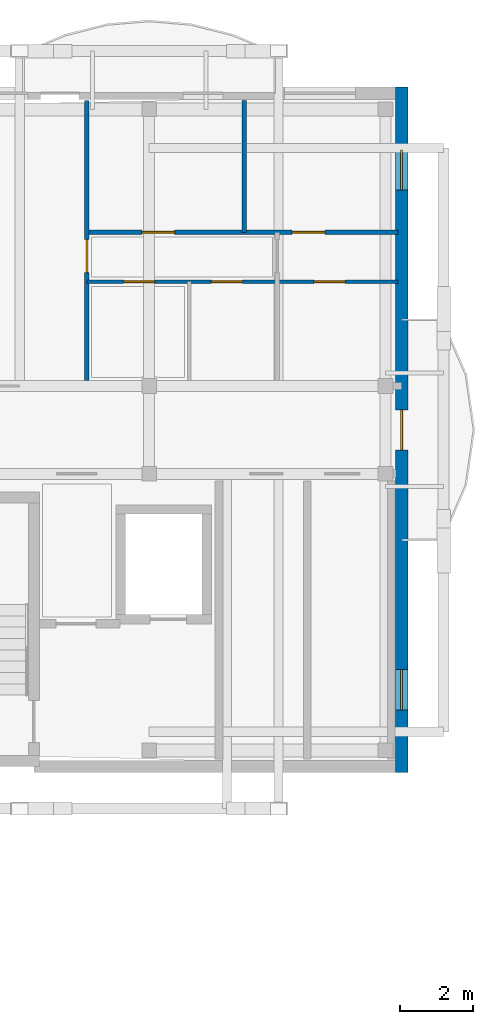
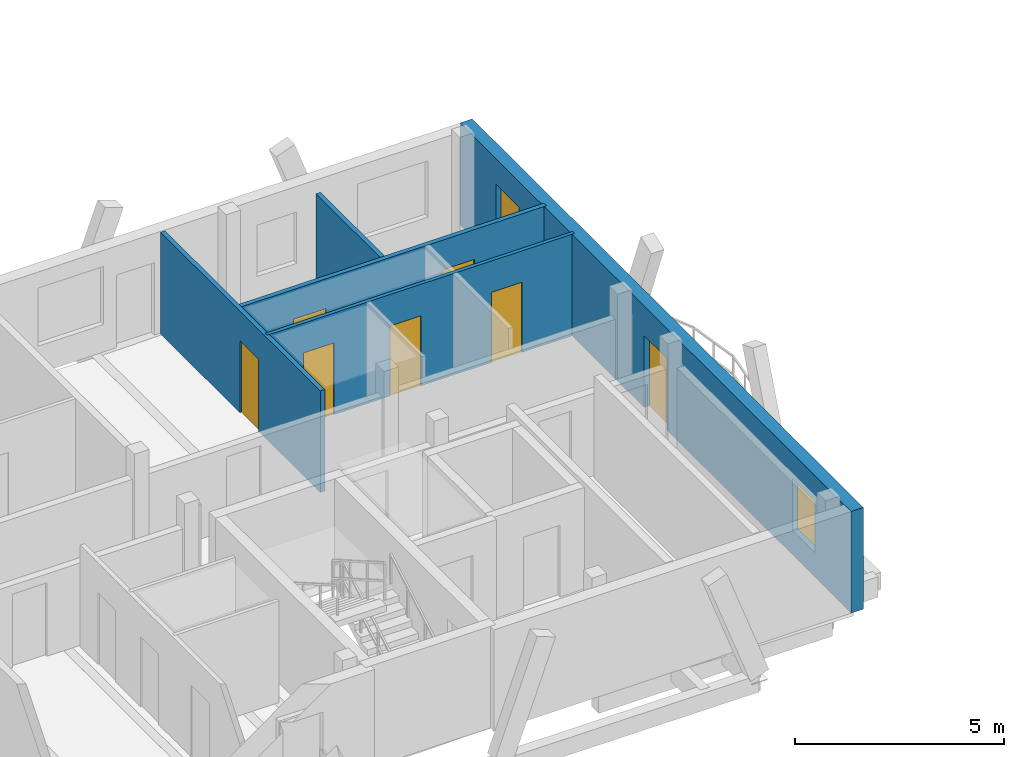
# One storey, part 16 of 21: 7 doors, 5 walls, 2 windows, 9 openings.
"""IFC4 building model written with IfcOpenShell, lengths in metres."""

from ifc_helpers import new_model, si_unit, direction, frame, frame_2d, origin, origin_with_axes, place, context, subcontext, project, spatial, rectangle, extrude, material, layer, layer_set, type_object, element, fill, save


model = new_model("IFC4")

# Units and contexts
model_context = context("Model", 3, precision=1e-05, world=origin(), true_north=direction((0.0, 1.0)))
body_context = subcontext(model_context, "Body", "Model", "MODEL_VIEW")
ifc_project = project(units=[si_unit("LENGTHUNIT", "METRE"), si_unit("AREAUNIT", "SQUARE_METRE"), si_unit("VOLUMEUNIT", "CUBIC_METRE"), si_unit("PLANEANGLEUNIT", "RADIAN"), si_unit("MASSUNIT", "GRAM", prefix="KILO")], contexts=[model_context])

# Site, building, storey
site_placement = place(None, origin())
site = spatial("IfcSite", under=ifc_project, at=site_placement, CompositionType="ELEMENT")
building_placement = place(site_placement, origin())
building = spatial("IfcBuilding", under=site, at=building_placement, Name="Zavelmont Quarter", CompositionType="ELEMENT")
storey_placement = place(building_placement, frame((0.0, 0.0, 36.800048828125)))
storey = spatial("IfcBuildingStorey", under=building, at=storey_placement, Name="L11", CompositionType="ELEMENT", Elevation=36.800048828125)

# Wall, openings, door, windows
ifc_material_1 = material(Name="Natural Belgian limestone", Category="masonry")
ifc_layer_1 = layer(ifc_material_1, 0.340087890625)
ifc_layer_set_1 = layer_set([ifc_layer_1], Name="Natural Belgian limestone")
wall_type_1 = type_object("IfcWallType", Name="EW03", PredefinedType="STANDARD", material=ifc_layer_set_1)
wall_1_placement = place(storey_placement, frame((41.39990234375, 97.429931640625, 0.0), z_axis=(0.0, 0.0, 1.0), x_axis=(0.0, 1.0, 0.0)))
wall_1 = element("IfcWall", 1, at=wall_1_placement, inside=storey, type_object=wall_type_1, Name="L11 exterior limestone wall EW03", PredefinedType="STANDARD", context=body_context, shape_type="SweptSolid", body=[
    extrude(rectangle(XDim=18.739990234375, YDim=0.340087890625, at=frame_2d((9.3701171875, 0.0))), origin(), (0.0, 0.0, 1.0), 2.969970703125),
])
opening_1_placement = place(wall_1_placement, frame((8.820068359375, 0.0, 0.0)))
opening_1 = element("IfcOpeningElement", 2, at=opening_1_placement, cuts=wall_1, Name="Opening DR04B", PredefinedType="OPENING", context=body_context, shape_type="SweptSolid", body=[
    extrude(rectangle(XDim=1.10009765625, YDim=2.10009765625, at=frame_2d((0.550048828125, 1.050048828125))), frame((0.0, 0.18212890625, 0.0), z_axis=(0.0, -1.0, 0.0), x_axis=(1.0, 0.0, 0.0)), (0.0, 0.0, 1.0), 0.364013671875),
])
opening_2_placement = place(wall_1_placement, frame((1.719970703125, 0.0, 0.719970703125)))
opening_2 = element("IfcOpeningElement", 3, at=opening_2_placement, cuts=wall_1, Name="Opening WN09", PredefinedType="OPENING", context=body_context, shape_type="SweptSolid", body=[
    extrude(rectangle(XDim=1.10009765625, YDim=1.5, at=frame_2d((0.550048828125, 0.75))), frame((0.0, 0.18212890625, 0.0), z_axis=(0.0, -1.0, 0.0), x_axis=(1.0, 0.0, 0.0)), (0.0, 0.0, 1.0), 0.364013671875),
])
opening_3_placement = place(wall_1_placement, frame((15.919921875, 0.0, 0.719970703125)))
opening_3 = element("IfcOpeningElement", 4, at=opening_3_placement, cuts=wall_1, Name="Opening WN09", PredefinedType="OPENING", context=body_context, shape_type="SweptSolid", body=[
    extrude(rectangle(XDim=1.10009765625, YDim=1.5, at=frame_2d((0.550048828125, 0.75))), frame((0.0, 0.18212890625, 0.0), z_axis=(0.0, -1.0, 0.0), x_axis=(1.0, 0.0, 0.0)), (0.0, 0.0, 1.0), 0.364013671875),
])
ifc_material_2 = material(Name="Thermally broken aluminium and double safety glass", Category="aluminium")
door_type_1 = type_object("IfcDoorType", Name="DR04B", OperationType="NOTDEFINED", PredefinedType="DOOR", material=ifc_material_2)
door_1_placement = place(opening_1_placement, origin_with_axes())
door_1 = element("IfcDoor", 5, at=door_1_placement, inside=storey, type_object=door_type_1, Name="Block B L11 terrace or vase balcony door", OperationType="SINGLE_SWING_LEFT", OverallHeight=2.10009765625, OverallWidth=1.10009765625, PredefinedType="DOOR", context=body_context, shape_type="SweptSolid", body=[
    extrude(rectangle(XDim=1.10009765625, YDim=2.10009765625, at=frame_2d((0.550048828125, 1.050048828125))), frame((0.0, 0.02490234375, 0.0), z_axis=(0.0, -1.0, 0.0), x_axis=(1.0, 0.0, 0.0)), (0.0, 0.0, 1.0), 0.050048828125),
])
fill(opening_1, door_1)
ifc_material_3 = material(Name="Double low-E insulated glazing in thermally broken aluminium frame", Category="aluminium")
window_type = type_object("IfcWindowType", Name="WN09", PartitioningType="SINGLE_PANEL", PredefinedType="WINDOW", material=ifc_material_3)
window_1_placement = place(opening_2_placement, origin_with_axes())
window_1 = element("IfcWindow", 6, at=window_1_placement, inside=storey, type_object=window_type, Name="L11 window WN09", OverallHeight=1.5, OverallWidth=1.10009765625, PartitioningType="SINGLE_PANEL", PredefinedType="WINDOW", context=body_context, shape_type="SweptSolid", body=[
    extrude(rectangle(XDim=1.10009765625, YDim=1.5, at=frame_2d((0.550048828125, 0.75))), frame((0.0, 0.030029296875, 0.0), z_axis=(0.0, -1.0, 0.0), x_axis=(1.0, 0.0, 0.0)), (0.0, 0.0, 1.0), 0.06005859375),
])
fill(opening_2, window_1)
window_2_placement = place(opening_3_placement, origin_with_axes())
window_2 = element("IfcWindow", 7, at=window_2_placement, inside=storey, type_object=window_type, Name="L11 window WN09", OverallHeight=1.5, OverallWidth=1.10009765625, PartitioningType="SINGLE_PANEL", PredefinedType="WINDOW", context=body_context, shape_type="SweptSolid", body=[
    extrude(rectangle(XDim=1.10009765625, YDim=1.5, at=frame_2d((0.550048828125, 0.75))), frame((0.0, 0.030029296875, 0.0), z_axis=(0.0, -1.0, 0.0), x_axis=(1.0, 0.0, 0.0)), (0.0, 0.0, 1.0), 0.06005859375),
])
fill(opening_3, window_2)

# Wall, opening, door
ifc_material_4 = material(Name="Double gypsum board on acoustic steel stud", Category="steel")
ifc_layer_2 = layer(ifc_material_4, 0.125)
ifc_layer_set_2 = layer_set([ifc_layer_2], Name="Double gypsum board on acoustic steel stud")
wall_type_2 = type_object("IfcWallType", Name="IW03", PredefinedType="PARTITIONING", material=ifc_layer_set_2)
wall_2_placement = place(storey_placement, frame((32.800048828125, 108.14990234375, 0.0), z_axis=(0.0, 0.0, 1.0), x_axis=(0.0, 1.0, 0.0)))
wall_2 = element("IfcWall", 8, at=wall_2_placement, inside=storey, type_object=wall_type_2, Name="L11 Partition IW03", PredefinedType="PARTITIONING", context=body_context, shape_type="SweptSolid", body=[
    extrude(rectangle(XDim=7.650146484375, YDim=0.125, at=frame_2d((3.8251953125, 0.0))), origin(), (0.0, 0.0, 1.0), 2.969970703125),
])
opening_4_placement = place(wall_2_placement, frame((2.949951171875, 0.0, 0.0)))
opening_4 = element("IfcOpeningElement", 9, at=opening_4_placement, cuts=wall_2, Name="Opening DR05", PredefinedType="OPENING", context=body_context, shape_type="SweptSolid", body=[
    extrude(rectangle(XDim=0.89990234375, YDim=2.10009765625, at=frame_2d((0.449951171875, 1.050048828125))), frame((0.0, 0.074462890625, 0.0), z_axis=(0.0, -1.0, 0.0), x_axis=(1.0, 0.0, 0.0)), (0.0, 0.0, 1.0), 0.14892578125),
])
ifc_material_5 = material(Name="Engineered oak flush interior door")
door_type_2 = type_object("IfcDoorType", Name="DR05", OperationType="NOTDEFINED", PredefinedType="DOOR", material=ifc_material_5)
door_2_placement = place(opening_4_placement, frame((0.89990234375, 0.0, 0.0), z_axis=(0.0, 0.0, 1.0), x_axis=(-1.0, 0.0, 0.0)))
door_2 = element("IfcDoor", 10, at=door_2_placement, inside=storey, type_object=door_type_2, Name="L11 door DR05", OperationType="SINGLE_SWING_LEFT", OverallHeight=2.10009765625, OverallWidth=0.89990234375, PredefinedType="DOOR", context=body_context, shape_type="SweptSolid", body=[
    extrude(rectangle(XDim=0.89990234375, YDim=2.10009765625, at=frame_2d((0.449951171875, 1.050048828125))), frame((0.0, 0.02490234375, 0.0), z_axis=(0.0, -1.0, 0.0), x_axis=(1.0, 0.0, 0.0)), (0.0, 0.0, 1.0), 0.050048828125),
])
fill(opening_4, door_2)

# Wall
wall_3_placement = place(storey_placement, frame((37.10009765625, 112.199951171875, 0.0), z_axis=(0.0, 0.0, 1.0), x_axis=(0.0, 1.0, 0.0)))
element("IfcWall", 11, at=wall_3_placement, inside=storey, type_object=wall_type_2, Name="L11 Partition IW03", PredefinedType="PARTITIONING", context=body_context, shape_type="SweptSolid", body=[
    extrude(rectangle(XDim=3.60009765625, YDim=0.125, at=frame_2d((1.800048828125, 0.0))), origin(), (0.0, 0.0, 1.0), 2.58984375),
])

# Wall, openings, doors
wall_4_placement = place(storey_placement, frame((32.800048828125, 112.199951171875, 0.0), z_axis=(0.0, 0.0, 1.0), x_axis=(1.0, 0.0, 0.0)))
wall_4 = element("IfcWall", 12, at=wall_4_placement, inside=storey, type_object=wall_type_2, Name="L11 Partition IW03", PredefinedType="PARTITIONING", context=body_context, shape_type="SweptSolid", body=[
    extrude(rectangle(XDim=8.5, YDim=0.125, at=frame_2d((4.25, 0.0))), origin(), (0.0, 0.0, 1.0), 2.969970703125),
])
opening_5_placement = place(wall_4_placement, frame((1.5, 0.0, 0.0)))
opening_5 = element("IfcOpeningElement", 13, at=opening_5_placement, cuts=wall_4, Name="Opening DR05", PredefinedType="OPENING", context=body_context, shape_type="SweptSolid", body=[
    extrude(rectangle(XDim=0.89990234375, YDim=2.10009765625, at=frame_2d((0.449951171875, 1.050048828125))), frame((0.0, 0.074462890625, 0.0), z_axis=(0.0, -1.0, 0.0), x_axis=(1.0, 0.0, 0.0)), (0.0, 0.0, 1.0), 0.14892578125),
])
opening_6_placement = place(wall_4_placement, frame((5.60009765625, 0.0, 0.0)))
opening_6 = element("IfcOpeningElement", 14, at=opening_6_placement, cuts=wall_4, Name="Opening DR05", PredefinedType="OPENING", context=body_context, shape_type="SweptSolid", body=[
    extrude(rectangle(XDim=0.89990234375, YDim=2.10009765625, at=frame_2d((0.449951171875, 1.050048828125))), frame((0.0, 0.074462890625, 0.0), z_axis=(0.0, -1.0, 0.0), x_axis=(1.0, 0.0, 0.0)), (0.0, 0.0, 1.0), 0.14892578125),
])
door_3_placement = place(opening_5_placement, origin_with_axes())
door_3 = element("IfcDoor", 15, at=door_3_placement, inside=storey, type_object=door_type_2, Name="L11 door DR05", OperationType="SINGLE_SWING_RIGHT", OverallHeight=2.10009765625, OverallWidth=0.89990234375, PredefinedType="DOOR", context=body_context, shape_type="SweptSolid", body=[
    extrude(rectangle(XDim=0.89990234375, YDim=2.10009765625, at=frame_2d((0.449951171875, 1.050048828125))), frame((0.0, 0.02490234375, 0.0), z_axis=(0.0, -1.0, 0.0), x_axis=(1.0, 0.0, 0.0)), (0.0, 0.0, 1.0), 0.050048828125),
])
fill(opening_5, door_3)
door_4_placement = place(opening_6_placement, frame((0.89990234375, 0.0, 0.0), z_axis=(0.0, 0.0, 1.0), x_axis=(-1.0, 0.0, 0.0)))
door_4 = element("IfcDoor", 16, at=door_4_placement, inside=storey, type_object=door_type_2, Name="L11 door DR05", OperationType="SINGLE_SWING_LEFT", OverallHeight=2.10009765625, OverallWidth=0.89990234375, PredefinedType="DOOR", context=body_context, shape_type="SweptSolid", body=[
    extrude(rectangle(XDim=0.89990234375, YDim=2.10009765625, at=frame_2d((0.449951171875, 1.050048828125))), frame((0.0, 0.02490234375, 0.0), z_axis=(0.0, -1.0, 0.0), x_axis=(1.0, 0.0, 0.0)), (0.0, 0.0, 1.0), 0.050048828125),
])
fill(opening_6, door_4)

ifc_material_6 = material(Name="Moisture-resistant gypsum board on steel stud", Category="steel")
ifc_layer_3 = layer(ifc_material_6, 0.10009765625)
ifc_layer_set_3 = layer_set([ifc_layer_3], Name="Moisture-resistant gypsum board on steel stud")
wall_type_3 = type_object("IfcWallType", Name="IW04", PredefinedType="PARTITIONING", material=ifc_layer_set_3)
wall_5_placement = place(storey_placement, frame((32.800048828125, 110.85009765625, 0.0), z_axis=(0.0, 0.0, 1.0), x_axis=(1.0, 0.0, 0.0)))
wall_5 = element("IfcWall", 17, at=wall_5_placement, inside=storey, type_object=wall_type_3, Name="L11 Partition IW04", PredefinedType="PARTITIONING", context=body_context, shape_type="SweptSolid", body=[
    extrude(rectangle(XDim=8.5, YDim=0.10009765625, at=frame_2d((4.25, 0.0))), origin(), (0.0, 0.0, 1.0), 2.969970703125),
])
opening_7_placement = place(wall_5_placement, frame((1.0, 0.0, 0.0)))
opening_7 = element("IfcOpeningElement", 18, at=opening_7_placement, cuts=wall_5, Name="Opening DR16", PredefinedType="OPENING", context=body_context, shape_type="SweptSolid", body=[
    extrude(rectangle(XDim=0.85009765625, YDim=2.10009765625, at=frame_2d((0.425048828125, 1.050048828125))), frame((0.0, 0.06201171875, 0.0), z_axis=(0.0, -1.0, 0.0), x_axis=(1.0, 0.0, 0.0)), (0.0, 0.0, 1.0), 0.1240234375),
])
opening_8_placement = place(wall_5_placement, frame((3.39990234375, 0.0, 0.0)))
opening_8 = element("IfcOpeningElement", 19, at=opening_8_placement, cuts=wall_5, Name="Opening DR06", PredefinedType="OPENING", context=body_context, shape_type="SweptSolid", body=[
    extrude(rectangle(XDim=0.85009765625, YDim=2.050048828125, at=frame_2d((0.425048828125, 1.02490234375))), frame((0.0, 0.06201171875, 0.0), z_axis=(0.0, -1.0, 0.0), x_axis=(1.0, 0.0, 0.0)), (0.0, 0.0, 1.0), 0.1240234375),
])
opening_9_placement = place(wall_5_placement, frame((6.199951171875, 0.0, 0.0)))
opening_9 = element("IfcOpeningElement", 20, at=opening_9_placement, cuts=wall_5, Name="Opening DR06", PredefinedType="OPENING", context=body_context, shape_type="SweptSolid", body=[
    extrude(rectangle(XDim=0.85009765625, YDim=2.050048828125, at=frame_2d((0.425048828125, 1.02490234375))), frame((0.0, 0.06201171875, 0.0), z_axis=(0.0, -1.0, 0.0), x_axis=(1.0, 0.0, 0.0)), (0.0, 0.0, 1.0), 0.1240234375),
])
ifc_material_7 = material(Name="Moisture-resistant painted wet-room door")
door_type_3 = type_object("IfcDoorType", Name="DR06", OperationType="NOTDEFINED", PredefinedType="DOOR", material=ifc_material_7)
door_5_placement = place(opening_8_placement, origin_with_axes())
door_5 = element("IfcDoor", 21, at=door_5_placement, inside=storey, type_object=door_type_3, Name="L11 door DR06", OperationType="SINGLE_SWING_RIGHT", OverallHeight=2.050048828125, OverallWidth=0.85009765625, PredefinedType="DOOR", context=body_context, shape_type="SweptSolid", body=[
    extrude(rectangle(XDim=0.85009765625, YDim=2.050048828125, at=frame_2d((0.425048828125, 1.02490234375))), frame((0.0, 0.02490234375, 0.0), z_axis=(0.0, -1.0, 0.0), x_axis=(1.0, 0.0, 0.0)), (0.0, 0.0, 1.0), 0.050048828125),
])
fill(opening_8, door_5)
door_6_placement = place(opening_9_placement, frame((0.85009765625, 0.0, 0.0), z_axis=(0.0, 0.0, 1.0), x_axis=(-1.0, 0.0, 0.0)))
door_6 = element("IfcDoor", 22, at=door_6_placement, inside=storey, type_object=door_type_3, Name="L11 door DR06", OperationType="SINGLE_SWING_LEFT", OverallHeight=2.050048828125, OverallWidth=0.85009765625, PredefinedType="DOOR", context=body_context, shape_type="SweptSolid", body=[
    extrude(rectangle(XDim=0.85009765625, YDim=2.050048828125, at=frame_2d((0.425048828125, 1.02490234375))), frame((0.0, 0.02490234375, 0.0), z_axis=(0.0, -1.0, 0.0), x_axis=(1.0, 0.0, 0.0)), (0.0, 0.0, 1.0), 0.050048828125),
])
fill(opening_9, door_6)
door_type_4 = type_object("IfcDoorType", Name="DR16", OperationType="NOTDEFINED", PredefinedType="DOOR", material=ifc_material_5)
door_7_placement = place(opening_7_placement, frame((0.85009765625, 0.0, 0.0), z_axis=(0.0, 0.0, 1.0), x_axis=(-1.0, 0.0, 0.0)))
door_7 = element("IfcDoor", 23, at=door_7_placement, inside=storey, type_object=door_type_4, Name="L11 door DR16", OperationType="SINGLE_SWING_LEFT", OverallHeight=2.10009765625, OverallWidth=0.85009765625, PredefinedType="DOOR", context=body_context, shape_type="SweptSolid", body=[
    extrude(rectangle(XDim=0.85009765625, YDim=2.10009765625, at=frame_2d((0.425048828125, 1.050048828125))), frame((0.0, 0.02490234375, 0.0), z_axis=(0.0, -1.0, 0.0), x_axis=(1.0, 0.0, 0.0)), (0.0, 0.0, 1.0), 0.050048828125),
])
fill(opening_7, door_7)

save(model, "model.ifc")
